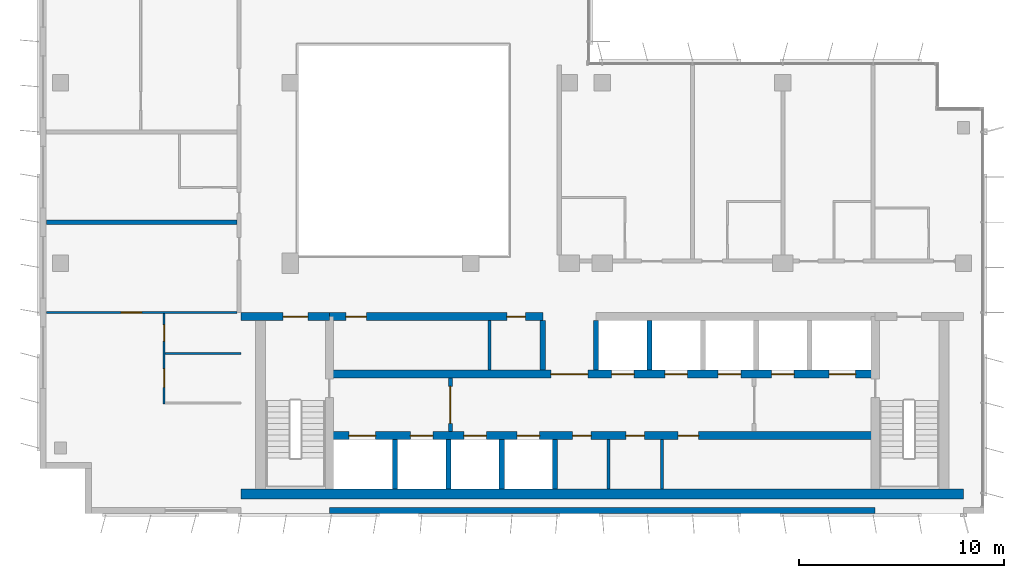
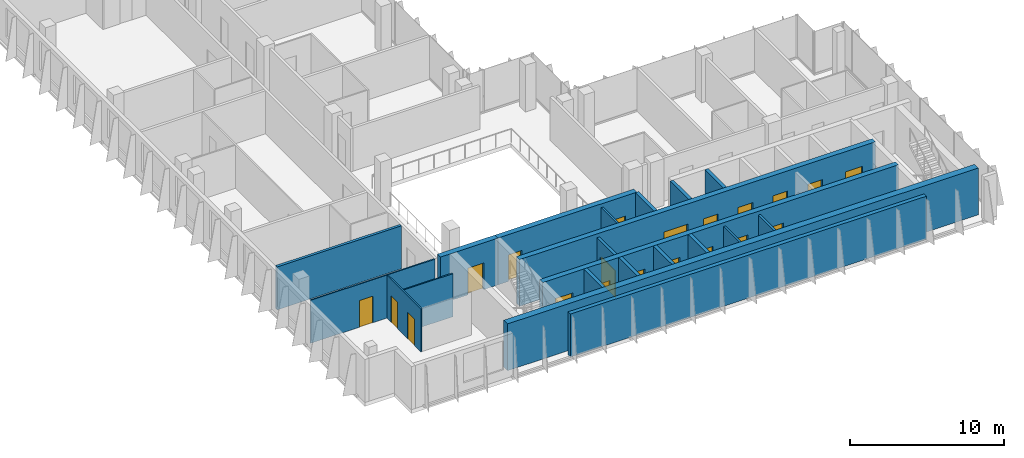
# One storey, part 9 of 15: 21 walls, 20 doors, 20 openings.
"""IFC4 building model written with IfcOpenShell, lengths in metres."""

from ifc_helpers import new_model, si_unit, direction, frame, frame_2d, origin, place, context, subcontext, project, spatial, rectangle, extrude, material, layer, layer_set, type_object, element, fill, save


model = new_model("IFC4")

# Units and contexts
model_context = context("Model", 3, precision=1e-05, world=origin(), true_north=direction((0.0, 1.0)))
body_context = subcontext(model_context, "Body", "Model", "MODEL_VIEW")
ifc_project = project(units=[si_unit("LENGTHUNIT", "METRE"), si_unit("AREAUNIT", "SQUARE_METRE"), si_unit("VOLUMEUNIT", "CUBIC_METRE"), si_unit("PLANEANGLEUNIT", "RADIAN"), si_unit("MASSUNIT", "GRAM", prefix="KILO")], contexts=[model_context])

# Site, building, storey
site_placement = place(None, origin())
site = spatial("IfcSite", under=ifc_project, at=site_placement, CompositionType="ELEMENT")
building_placement = place(site_placement, origin())
building = spatial("IfcBuilding", under=site, at=building_placement, Name="Kemantara Hotel Tower", CompositionType="ELEMENT")
storey_placement = place(building_placement, frame((0.0, 0.0, 279.60009765625)))
storey = spatial("IfcBuildingStorey", under=building, at=storey_placement, Name="L70", CompositionType="ELEMENT", Elevation=279.60009765625)

# Walls
ifc_material_1 = material(Name="Bronze anodised aluminium cladding on insulated steel stud wall", Category="steel")
ifc_layer_1 = layer(ifc_material_1, 0.300048828125)
ifc_layer_set_1 = layer_set([ifc_layer_1], Name="Bronze anodised aluminium cladding on insulated steel stud wall")
wall_type_1 = type_object("IfcWallType", Name="BRONZE METAL-CLAD EXTERNAL WALL 300", PredefinedType="STANDARD", material=ifc_layer_set_1)
wall_1_placement = place(storey_placement, frame((14.10009765625, 0.14990234375, 0.0), z_axis=(0.0, 0.0, 1.0), x_axis=(1.0, 0.0, 0.0)))
element("IfcWall", 1, at=wall_1_placement, inside=storey, type_object=wall_type_1, Name="EXTERNAL WALL L70 T4-R08-2", PredefinedType="STANDARD", context=body_context, shape_type="SweptSolid", body=[
    extrude(rectangle(XDim=26.599853515625, YDim=0.300048828125, at=frame_2d((13.2998046875, 0.0))), origin(), (0.0, 0.0, 1.0), 3.39990234375),
])
ifc_material_2 = material(Name="Concrete fc 50 MPa", Category="concrete")
ifc_layer_2 = layer(ifc_material_2, 0.25)
ifc_layer_set_2 = layer_set([ifc_layer_2], Name="Concrete fc 50 MPa")
wall_type_2 = type_object("IfcWallType", Name="CORE WALL 250 FC50", PredefinedType="SHEAR", material=ifc_layer_set_2)
for number, where, z_axis, x_axis, name in (
    (2, (17.300048828125, 1.199951171875, 0.0), (0.0, 0.0, 1.0), (0.0, 1.0, 0.0), "CORE WALL CW-DS17.3"),
    (3, (19.89990234375, 1.199951171875, 0.0), (0.0, 0.0, 1.0), (0.0, 1.0, 0.0), "CORE WALL CW-DS19.9"),
    (4, (22.5, 1.199951171875, 0.0), (0.0, 0.0, 1.0), (0.0, 1.0, 0.0), "CORE WALL CW-DS22.5"),
    (5, (25.10009765625, 1.199951171875, 0.0), (0.0, 0.0, 1.0), (0.0, 1.0, 0.0), "CORE WALL CW-DS25.1"),
):
    element("IfcWall", number, at=place(storey_placement, frame(where, z_axis=z_axis, x_axis=x_axis)), inside=storey, type_object=wall_type_2, Name=name, PredefinedType="SHEAR", context=body_context, shape_type="SweptSolid", body=[
        extrude(rectangle(XDim=2.400146484375, YDim=0.25, at=frame_2d((1.2001953125, 0.0))), origin(), (0.0, 0.0, 1.0), 3.699951171875),
    ])
for number, where, z_axis, x_axis, name in (
    (6, (24.5, 7.0, 0.0), (0.0, 0.0, 1.0), (0.0, 1.0, 0.0), "CORE WALL CW-DN24.5"),
    (7, (27.10009765625, 7.0, 0.0), (0.0, 0.0, 1.0), (0.0, 1.0, 0.0), "CORE WALL CW-DN27.1"),
    (8, (29.699951171875, 7.0, 0.0), (0.0, 0.0, 1.0), (0.0, 1.0, 0.0), "CORE WALL CW-DN29.7"),
):
    element("IfcWall", number, at=place(storey_placement, frame(where, z_axis=z_axis, x_axis=x_axis)), inside=storey, type_object=wall_type_2, Name=name, PredefinedType="SHEAR", context=body_context, shape_type="SweptSolid", body=[
        extrude(rectangle(XDim=2.39990234375, YDim=0.25, at=frame_2d((1.199951171875, 0.0))), origin(), (0.0, 0.0, 1.0), 3.699951171875),
    ])

# Wall, opening, door
ifc_layer_3 = layer(ifc_material_2, 0.39990234375)
ifc_layer_set_3 = layer_set([ifc_layer_3], Name="Concrete fc 50 MPa")
wall_type_3 = type_object("IfcWallType", Name="CORE WALL 400 FC50", PredefinedType="SHEAR", material=ifc_layer_set_3)
wall_2_placement = place(storey_placement, frame((9.800048828125, 9.60009765625, 0.0), z_axis=(0.0, 0.0, 1.0), x_axis=(1.0, 0.0, 0.0)))
wall_2 = element("IfcWall", 9, at=wall_2_placement, inside=storey, type_object=wall_type_3, Name="CORE WALL CW-N1", PredefinedType="SHEAR", context=body_context, shape_type="SweptSolid", body=[
    extrude(rectangle(XDim=4.300048828125, YDim=0.39990234375, at=frame_2d((2.14990234375, 0.0))), origin(), (0.0, 0.0, 1.0), 3.699951171875),
])
opening_1_placement = place(wall_2_placement, frame((2.050048828125, 0.0, 0.0)))
opening_1 = element("IfcOpeningElement", 10, at=opening_1_placement, cuts=wall_2, Name="Opening C40-ST1-C", PredefinedType="OPENING", context=body_context, shape_type="SweptSolid", body=[
    extrude(rectangle(XDim=1.199951171875, YDim=2.10009765625, at=frame_2d((0.60009765625, 1.050048828125))), frame((0.0, 0.2099609375, 0.0), z_axis=(0.0, -1.0, 0.0), x_axis=(1.0, 0.0, 0.0)), (0.0, 0.0, 1.0), 0.419921875),
])
ifc_material_3 = material(Name="Steel fire door", Category="steel")
door_type_1 = type_object("IfcDoorType", Name="Fire door FD90 1200 x 2100", OperationType="NOTDEFINED", PredefinedType="DOOR", material=ifc_material_3)
door_1_placement = place(opening_1_placement, frame((1.199951171875, 0.0, 0.0), z_axis=(0.0, 0.0, 1.0), x_axis=(-1.0, 0.0, 0.0)))
door_1 = element("IfcDoor", 11, at=door_1_placement, inside=storey, type_object=door_type_1, Name="Stair ST1 door to corridor", OperationType="SINGLE_SWING_LEFT", OverallHeight=2.10009765625, OverallWidth=1.199951171875, PredefinedType="DOOR", context=body_context, shape_type="SweptSolid", body=[
    extrude(rectangle(XDim=1.199951171875, YDim=2.10009765625, at=frame_2d((0.60009765625, 1.050048828125))), frame((0.0, 0.02490234375, 0.0), z_axis=(0.0, -1.0, 0.0), x_axis=(1.0, 0.0, 0.0)), (0.0, 0.0, 1.0), 0.050048828125),
])
fill(opening_1, door_1)

# Wall, openings, doors
wall_3_placement = place(storey_placement, frame((14.10009765625, 9.60009765625, 0.0), z_axis=(0.0, 0.0, 1.0), x_axis=(1.0, 0.0, 0.0)))
wall_3 = element("IfcWall", 12, at=wall_3_placement, inside=storey, type_object=wall_type_3, Name="CORE WALL CW-NN1", PredefinedType="SHEAR", context=body_context, shape_type="SweptSolid", body=[
    extrude(rectangle(XDim=10.39990234375, YDim=0.39990234375, at=frame_2d((5.199951171875, 0.0))), origin(), (0.0, 0.0, 1.0), 3.699951171875),
])
opening_2_placement = place(wall_3_placement, frame((0.800048828125, 0.0, 0.0)))
opening_2 = element("IfcOpeningElement", 13, at=opening_2_placement, cuts=wall_3, Name="Opening C40-R-NW1", PredefinedType="OPENING", context=body_context, shape_type="SweptSolid", body=[
    extrude(rectangle(XDim=1.0, YDim=2.10009765625, at=frame_2d((0.5, 1.050048828125))), frame((0.0, 0.2099609375, 0.0), z_axis=(0.0, -1.0, 0.0), x_axis=(1.0, 0.0, 0.0)), (0.0, 0.0, 1.0), 0.419921875),
])
opening_3_placement = place(wall_3_placement, frame((8.64990234375, 0.0, 0.0)))
opening_3 = element("IfcOpeningElement", 14, at=opening_3_placement, cuts=wall_3, Name="Opening C40-R-NW2", PredefinedType="OPENING", context=body_context, shape_type="SweptSolid", body=[
    extrude(rectangle(XDim=0.89990234375, YDim=2.10009765625, at=frame_2d((0.449951171875, 1.050048828125))), frame((0.0, 0.2099609375, 0.0), z_axis=(0.0, -1.0, 0.0), x_axis=(1.0, 0.0, 0.0)), (0.0, 0.0, 1.0), 0.419921875),
])
door_type_2 = type_object("IfcDoorType", Name="Fire door FD30S 1000 x 2100", OperationType="NOTDEFINED", PredefinedType="DOOR", material=ifc_material_3)
door_2_placement = place(opening_2_placement, frame((1.0, 0.0, 0.0), z_axis=(0.0, 0.0, 1.0), x_axis=(-1.0, 0.0, 0.0)))
door_2 = element("IfcDoor", 15, at=door_2_placement, inside=storey, type_object=door_type_2, Name="Linen Store door", OperationType="SINGLE_SWING_RIGHT", OverallHeight=2.10009765625, OverallWidth=1.0, PredefinedType="DOOR", context=body_context, shape_type="SweptSolid", body=[
    extrude(rectangle(XDim=1.0, YDim=2.10009765625, at=frame_2d((0.5, 1.050048828125))), frame((0.0, 0.02490234375, 0.0), z_axis=(0.0, -1.0, 0.0), x_axis=(1.0, 0.0, 0.0)), (0.0, 0.0, 1.0), 0.050048828125),
])
fill(opening_2, door_2)
door_type_3 = type_object("IfcDoorType", Name="Fire door FD60 900 x 2100", OperationType="NOTDEFINED", PredefinedType="DOOR", material=ifc_material_3)
door_3_placement = place(opening_3_placement, frame((0.89990234375, 0.0, 0.0), z_axis=(0.0, 0.0, 1.0), x_axis=(-1.0, 0.0, 0.0)))
door_3 = element("IfcDoor", 16, at=door_3_placement, inside=storey, type_object=door_type_3, Name="It Equipment Room door", OperationType="SINGLE_SWING_LEFT", OverallHeight=2.10009765625, OverallWidth=0.89990234375, PredefinedType="DOOR", context=body_context, shape_type="SweptSolid", body=[
    extrude(rectangle(XDim=0.89990234375, YDim=2.10009765625, at=frame_2d((0.449951171875, 1.050048828125))), frame((0.0, 0.02490234375, 0.0), z_axis=(0.0, -1.0, 0.0), x_axis=(1.0, 0.0, 0.0)), (0.0, 0.0, 1.0), 0.050048828125),
])
fill(opening_3, door_3)

wall_4_placement = place(storey_placement, frame((14.10009765625, 3.800048828125, 0.0), z_axis=(0.0, 0.0, 1.0), x_axis=(1.0, 0.0, 0.0)))
wall_4 = element("IfcWall", 17, at=wall_4_placement, inside=storey, type_object=wall_type_3, Name="CORE WALL CW-L1", PredefinedType="SHEAR", context=body_context, shape_type="SweptSolid", body=[
    extrude(rectangle(XDim=26.599853515625, YDim=0.39990234375, at=frame_2d((13.2998046875, 0.0))), origin(), (0.0, 0.0, 1.0), 3.699951171875),
])
opening_4_placement = place(wall_4_placement, frame((0.949951171875, 0.0, 0.0)))
opening_4 = element("IfcOpeningElement", 18, at=opening_4_placement, cuts=wall_4, Name="Opening C40-LD-FF1", PredefinedType="OPENING", context=body_context, shape_type="SweptSolid", body=[
    extrude(rectangle(XDim=1.300048828125, YDim=2.10009765625, at=frame_2d((0.64990234375, 1.050048828125))), frame((0.0, 0.2099609375, 0.0), z_axis=(0.0, -1.0, 0.0), x_axis=(1.0, 0.0, 0.0)), (0.0, 0.0, 1.0), 0.419921875),
])
opening_5_placement = place(wall_4_placement, frame((3.949951171875, 0.0, 0.0)))
opening_5 = element("IfcOpeningElement", 19, at=opening_5_placement, cuts=wall_4, Name="Opening C40-LD-SV1", PredefinedType="OPENING", context=body_context, shape_type="SweptSolid", body=[
    extrude(rectangle(XDim=1.10009765625, YDim=2.10009765625, at=frame_2d((0.550048828125, 1.050048828125))), frame((0.0, 0.2099609375, 0.0), z_axis=(0.0, -1.0, 0.0), x_axis=(1.0, 0.0, 0.0)), (0.0, 0.0, 1.0), 0.419921875),
])
opening_6_placement = place(wall_4_placement, frame((6.550048828125, 0.0, 0.0)))
opening_6 = element("IfcOpeningElement", 20, at=opening_6_placement, cuts=wall_4, Name="Opening C40-LD-SV2", PredefinedType="OPENING", context=body_context, shape_type="SweptSolid", body=[
    extrude(rectangle(XDim=1.10009765625, YDim=2.10009765625, at=frame_2d((0.550048828125, 1.050048828125))), frame((0.0, 0.2099609375, 0.0), z_axis=(0.0, -1.0, 0.0), x_axis=(1.0, 0.0, 0.0)), (0.0, 0.0, 1.0), 0.419921875),
])
opening_7_placement = place(wall_4_placement, frame((9.14990234375, 0.0, 0.0)))
opening_7 = element("IfcOpeningElement", 21, at=opening_7_placement, cuts=wall_4, Name="Opening C40-LD-SV3", PredefinedType="OPENING", context=body_context, shape_type="SweptSolid", body=[
    extrude(rectangle(XDim=1.10009765625, YDim=2.10009765625, at=frame_2d((0.550048828125, 1.050048828125))), frame((0.0, 0.2099609375, 0.0), z_axis=(0.0, -1.0, 0.0), x_axis=(1.0, 0.0, 0.0)), (0.0, 0.0, 1.0), 0.419921875),
])
opening_8_placement = place(wall_4_placement, frame((11.85009765625, 0.0, 0.0)))
opening_8 = element("IfcOpeningElement", 22, at=opening_8_placement, cuts=wall_4, Name="Opening C40-R-SM1", PredefinedType="OPENING", context=body_context, shape_type="SweptSolid", body=[
    extrude(rectangle(XDim=0.89990234375, YDim=2.10009765625, at=frame_2d((0.449951171875, 1.050048828125))), frame((0.0, 0.2099609375, 0.0), z_axis=(0.0, -1.0, 0.0), x_axis=(1.0, 0.0, 0.0)), (0.0, 0.0, 1.0), 0.419921875),
])
opening_9_placement = place(wall_4_placement, frame((14.449951171875, 0.0, 0.0)))
opening_9 = element("IfcOpeningElement", 23, at=opening_9_placement, cuts=wall_4, Name="Opening C40-R-SM2", PredefinedType="OPENING", context=body_context, shape_type="SweptSolid", body=[
    extrude(rectangle(XDim=0.89990234375, YDim=2.10009765625, at=frame_2d((0.449951171875, 1.050048828125))), frame((0.0, 0.2099609375, 0.0), z_axis=(0.0, -1.0, 0.0), x_axis=(1.0, 0.0, 0.0)), (0.0, 0.0, 1.0), 0.419921875),
])
opening_10_placement = place(wall_4_placement, frame((17.0, 0.0, 0.0)))
opening_10 = element("IfcOpeningElement", 24, at=opening_10_placement, cuts=wall_4, Name="Opening C40-R-SM3", PredefinedType="OPENING", context=body_context, shape_type="SweptSolid", body=[
    extrude(rectangle(XDim=1.0, YDim=2.10009765625, at=frame_2d((0.5, 1.050048828125))), frame((0.0, 0.2099609375, 0.0), z_axis=(0.0, -1.0, 0.0), x_axis=(1.0, 0.0, 0.0)), (0.0, 0.0, 1.0), 0.419921875),
])
door_4_placement = place(opening_10_placement, frame((1.0, 0.0, 0.0), z_axis=(0.0, 0.0, 1.0), x_axis=(-1.0, 0.0, 0.0)))
door_4 = element("IfcDoor", 25, at=door_4_placement, inside=storey, type_object=door_type_2, Name="Guest Pantry door", OperationType="SINGLE_SWING_LEFT", OverallHeight=2.10009765625, OverallWidth=1.0, PredefinedType="DOOR", context=body_context, shape_type="SweptSolid", body=[
    extrude(rectangle(XDim=1.0, YDim=2.10009765625, at=frame_2d((0.5, 1.050048828125))), frame((0.0, 0.02490234375, 0.0), z_axis=(0.0, -1.0, 0.0), x_axis=(1.0, 0.0, 0.0)), (0.0, 0.0, 1.0), 0.050048828125),
])
fill(opening_10, door_4)
door_type_4 = type_object("IfcDoorType", Name="Fire door FD30S 900 x 2100", OperationType="NOTDEFINED", PredefinedType="DOOR", material=ifc_material_3)
door_5_placement = place(opening_9_placement, frame((0.89990234375, 0.0, 0.0), z_axis=(0.0, 0.0, 1.0), x_axis=(-1.0, 0.0, 0.0)))
door_5 = element("IfcDoor", 26, at=door_5_placement, inside=storey, type_object=door_type_4, Name="Staff Wc door", OperationType="SINGLE_SWING_LEFT", OverallHeight=2.10009765625, OverallWidth=0.89990234375, PredefinedType="DOOR", context=body_context, shape_type="SweptSolid", body=[
    extrude(rectangle(XDim=0.89990234375, YDim=2.10009765625, at=frame_2d((0.449951171875, 1.050048828125))), frame((0.0, 0.02490234375, 0.0), z_axis=(0.0, -1.0, 0.0), x_axis=(1.0, 0.0, 0.0)), (0.0, 0.0, 1.0), 0.050048828125),
])
fill(opening_9, door_5)
door_6_placement = place(opening_8_placement, frame((0.89990234375, 0.0, 0.0), z_axis=(0.0, 0.0, 1.0), x_axis=(-1.0, 0.0, 0.0)))
door_6 = element("IfcDoor", 27, at=door_6_placement, inside=storey, type_object=door_type_3, Name="Electrical Riser Room door", OperationType="SINGLE_SWING_RIGHT", OverallHeight=2.10009765625, OverallWidth=0.89990234375, PredefinedType="DOOR", context=body_context, shape_type="SweptSolid", body=[
    extrude(rectangle(XDim=0.89990234375, YDim=2.10009765625, at=frame_2d((0.449951171875, 1.050048828125))), frame((0.0, 0.02490234375, 0.0), z_axis=(0.0, -1.0, 0.0), x_axis=(1.0, 0.0, 0.0)), (0.0, 0.0, 1.0), 0.050048828125),
])
fill(opening_8, door_6)
ifc_material_4 = material(Name="Stainless steel lift door", Category="steel")
door_type_5 = type_object("IfcDoorType", Name="Lift landing door 1100 x 2100 FD60", OperationType="DOUBLE_DOOR_SLIDING", PredefinedType="DOOR", material=ifc_material_4)
door_7_placement = place(opening_5_placement, origin())
door_7 = element("IfcDoor", 28, at=door_7_placement, inside=storey, type_object=door_type_5, Name="Lift SV1 landing door", OperationType="DOUBLE_DOOR_SLIDING", OverallHeight=2.10009765625, OverallWidth=1.10009765625, PredefinedType="DOOR", context=body_context, shape_type="SweptSolid", body=[
    extrude(rectangle(XDim=1.10009765625, YDim=2.10009765625, at=frame_2d((0.550048828125, 1.050048828125))), frame((0.0, 0.02490234375, 0.0), z_axis=(0.0, -1.0, 0.0), x_axis=(1.0, 0.0, 0.0)), (0.0, 0.0, 1.0), 0.050048828125),
])
fill(opening_5, door_7)
door_8_placement = place(opening_6_placement, origin())
door_8 = element("IfcDoor", 29, at=door_8_placement, inside=storey, type_object=door_type_5, Name="Lift SV2 landing door", OperationType="DOUBLE_DOOR_SLIDING", OverallHeight=2.10009765625, OverallWidth=1.10009765625, PredefinedType="DOOR", context=body_context, shape_type="SweptSolid", body=[
    extrude(rectangle(XDim=1.10009765625, YDim=2.10009765625, at=frame_2d((0.550048828125, 1.050048828125))), frame((0.0, 0.02490234375, 0.0), z_axis=(0.0, -1.0, 0.0), x_axis=(1.0, 0.0, 0.0)), (0.0, 0.0, 1.0), 0.050048828125),
])
fill(opening_6, door_8)
door_9_placement = place(opening_7_placement, origin())
door_9 = element("IfcDoor", 30, at=door_9_placement, inside=storey, type_object=door_type_5, Name="Lift SV3 landing door", OperationType="DOUBLE_DOOR_SLIDING", OverallHeight=2.10009765625, OverallWidth=1.10009765625, PredefinedType="DOOR", context=body_context, shape_type="SweptSolid", body=[
    extrude(rectangle(XDim=1.10009765625, YDim=2.10009765625, at=frame_2d((0.550048828125, 1.050048828125))), frame((0.0, 0.02490234375, 0.0), z_axis=(0.0, -1.0, 0.0), x_axis=(1.0, 0.0, 0.0)), (0.0, 0.0, 1.0), 0.050048828125),
])
fill(opening_7, door_9)
door_type_6 = type_object("IfcDoorType", Name="Lift landing door 1300 x 2100 FD90", OperationType="DOUBLE_DOOR_SLIDING", PredefinedType="DOOR", material=ifc_material_4)
door_10_placement = place(opening_4_placement, origin())
door_10 = element("IfcDoor", 31, at=door_10_placement, inside=storey, type_object=door_type_6, Name="Lift FF1 landing door", OperationType="DOUBLE_DOOR_SLIDING", OverallHeight=2.10009765625, OverallWidth=1.300048828125, PredefinedType="DOOR", context=body_context, shape_type="SweptSolid", body=[
    extrude(rectangle(XDim=1.300048828125, YDim=2.10009765625, at=frame_2d((0.64990234375, 1.050048828125))), frame((0.0, 0.02490234375, 0.0), z_axis=(0.0, -1.0, 0.0), x_axis=(1.0, 0.0, 0.0)), (0.0, 0.0, 1.0), 0.050048828125),
])
fill(opening_4, door_10)

wall_5_placement = place(storey_placement, frame((14.10009765625, 6.800048828125, 0.0), z_axis=(0.0, 0.0, 1.0), x_axis=(1.0, 0.0, 0.0)))
wall_5 = element("IfcWall", 32, at=wall_5_placement, inside=storey, type_object=wall_type_3, Name="CORE WALL CW-L2", PredefinedType="SHEAR", context=body_context, shape_type="SweptSolid", body=[
    extrude(rectangle(XDim=26.599853515625, YDim=0.39990234375, at=frame_2d((13.2998046875, 0.0))), origin(), (0.0, 0.0, 1.0), 3.699951171875),
])
opening_11_placement = place(wall_5_placement, frame((10.800048828125, 0.0, 0.0)))
opening_11 = element("IfcOpeningElement", 33, at=opening_11_placement, cuts=wall_5, Name="Opening C40-VL", PredefinedType="OPENING", context=body_context, shape_type="SweptSolid", body=[
    extrude(rectangle(XDim=1.800048828125, YDim=2.10009765625, at=frame_2d((0.89990234375, 1.050048828125))), frame((0.0, 0.2099609375, 0.0), z_axis=(0.0, -1.0, 0.0), x_axis=(1.0, 0.0, 0.0)), (0.0, 0.0, 1.0), 0.419921875),
])
opening_12_placement = place(wall_5_placement, frame((13.75, 0.0, 0.0)))
opening_12 = element("IfcOpeningElement", 34, at=opening_12_placement, cuts=wall_5, Name="Opening C40-LD-HR1", PredefinedType="OPENING", context=body_context, shape_type="SweptSolid", body=[
    extrude(rectangle(XDim=1.10009765625, YDim=2.10009765625, at=frame_2d((0.550048828125, 1.050048828125))), frame((0.0, 0.2099609375, 0.0), z_axis=(0.0, -1.0, 0.0), x_axis=(1.0, 0.0, 0.0)), (0.0, 0.0, 1.0), 0.419921875),
])
opening_13_placement = place(wall_5_placement, frame((16.35009765625, 0.0, 0.0)))
opening_13 = element("IfcOpeningElement", 35, at=opening_13_placement, cuts=wall_5, Name="Opening C40-LD-HR2", PredefinedType="OPENING", context=body_context, shape_type="SweptSolid", body=[
    extrude(rectangle(XDim=1.10009765625, YDim=2.10009765625, at=frame_2d((0.550048828125, 1.050048828125))), frame((0.0, 0.2099609375, 0.0), z_axis=(0.0, -1.0, 0.0), x_axis=(1.0, 0.0, 0.0)), (0.0, 0.0, 1.0), 0.419921875),
])
opening_14_placement = place(wall_5_placement, frame((18.949951171875, 0.0, 0.0)))
opening_14 = element("IfcOpeningElement", 36, at=opening_14_placement, cuts=wall_5, Name="Opening C40-LD-HR3", PredefinedType="OPENING", context=body_context, shape_type="SweptSolid", body=[
    extrude(rectangle(XDim=1.10009765625, YDim=2.10009765625, at=frame_2d((0.550048828125, 1.050048828125))), frame((0.0, 0.2099609375, 0.0), z_axis=(0.0, -1.0, 0.0), x_axis=(1.0, 0.0, 0.0)), (0.0, 0.0, 1.0), 0.419921875),
])
opening_15_placement = place(wall_5_placement, frame((21.550048828125, 0.0, 0.0)))
opening_15 = element("IfcOpeningElement", 37, at=opening_15_placement, cuts=wall_5, Name="Opening C40-LD-HR4", PredefinedType="OPENING", context=body_context, shape_type="SweptSolid", body=[
    extrude(rectangle(XDim=1.10009765625, YDim=2.10009765625, at=frame_2d((0.550048828125, 1.050048828125))), frame((0.0, 0.2099609375, 0.0), z_axis=(0.0, -1.0, 0.0), x_axis=(1.0, 0.0, 0.0)), (0.0, 0.0, 1.0), 0.419921875),
])
opening_16_placement = place(wall_5_placement, frame((24.35009765625, 0.0, 0.0)))
opening_16 = element("IfcOpeningElement", 38, at=opening_16_placement, cuts=wall_5, Name="Opening C40-LD-FF2", PredefinedType="OPENING", context=body_context, shape_type="SweptSolid", body=[
    extrude(rectangle(XDim=1.300048828125, YDim=2.10009765625, at=frame_2d((0.64990234375, 1.050048828125))), frame((0.0, 0.2099609375, 0.0), z_axis=(0.0, -1.0, 0.0), x_axis=(1.0, 0.0, 0.0)), (0.0, 0.0, 1.0), 0.419921875),
])
door_type_7 = type_object("IfcDoorType", Name="Fire door pair FD60 1800 x 2100", OperationType="DOUBLE_DOOR_SINGLE_SWING", PredefinedType="DOOR", material=ifc_material_3)
door_11_placement = place(opening_11_placement, frame((1.800048828125, 0.0, 0.0), z_axis=(0.0, 0.0, 1.0), x_axis=(-1.0, 0.0, 0.0)))
door_11 = element("IfcDoor", 39, at=door_11_placement, inside=storey, type_object=door_type_7, Name="Lift lobby entry door", OperationType="DOUBLE_DOOR_SINGLE_SWING", OverallHeight=2.10009765625, OverallWidth=1.800048828125, PredefinedType="DOOR", context=body_context, shape_type="SweptSolid", body=[
    extrude(rectangle(XDim=1.800048828125, YDim=2.10009765625, at=frame_2d((0.89990234375, 1.050048828125))), frame((0.0, 0.02490234375, 0.0), z_axis=(0.0, -1.0, 0.0), x_axis=(1.0, 0.0, 0.0)), (0.0, 0.0, 1.0), 0.050048828125),
])
fill(opening_11, door_11)
door_12_placement = place(opening_12_placement, origin())
door_12 = element("IfcDoor", 40, at=door_12_placement, inside=storey, type_object=door_type_5, Name="Lift HR1 landing door", OperationType="DOUBLE_DOOR_SLIDING", OverallHeight=2.10009765625, OverallWidth=1.10009765625, PredefinedType="DOOR", context=body_context, shape_type="SweptSolid", body=[
    extrude(rectangle(XDim=1.10009765625, YDim=2.10009765625, at=frame_2d((0.550048828125, 1.050048828125))), frame((0.0, 0.02490234375, 0.0), z_axis=(0.0, -1.0, 0.0), x_axis=(1.0, 0.0, 0.0)), (0.0, 0.0, 1.0), 0.050048828125),
])
fill(opening_12, door_12)
door_13_placement = place(opening_13_placement, origin())
door_13 = element("IfcDoor", 41, at=door_13_placement, inside=storey, type_object=door_type_5, Name="Lift HR2 landing door", OperationType="DOUBLE_DOOR_SLIDING", OverallHeight=2.10009765625, OverallWidth=1.10009765625, PredefinedType="DOOR", context=body_context, shape_type="SweptSolid", body=[
    extrude(rectangle(XDim=1.10009765625, YDim=2.10009765625, at=frame_2d((0.550048828125, 1.050048828125))), frame((0.0, 0.02490234375, 0.0), z_axis=(0.0, -1.0, 0.0), x_axis=(1.0, 0.0, 0.0)), (0.0, 0.0, 1.0), 0.050048828125),
])
fill(opening_13, door_13)
door_14_placement = place(opening_14_placement, origin())
door_14 = element("IfcDoor", 42, at=door_14_placement, inside=storey, type_object=door_type_5, Name="Lift HR3 landing door", OperationType="DOUBLE_DOOR_SLIDING", OverallHeight=2.10009765625, OverallWidth=1.10009765625, PredefinedType="DOOR", context=body_context, shape_type="SweptSolid", body=[
    extrude(rectangle(XDim=1.10009765625, YDim=2.10009765625, at=frame_2d((0.550048828125, 1.050048828125))), frame((0.0, 0.02490234375, 0.0), z_axis=(0.0, -1.0, 0.0), x_axis=(1.0, 0.0, 0.0)), (0.0, 0.0, 1.0), 0.050048828125),
])
fill(opening_14, door_14)
door_15_placement = place(opening_15_placement, origin())
door_15 = element("IfcDoor", 43, at=door_15_placement, inside=storey, type_object=door_type_5, Name="Lift HR4 landing door", OperationType="DOUBLE_DOOR_SLIDING", OverallHeight=2.10009765625, OverallWidth=1.10009765625, PredefinedType="DOOR", context=body_context, shape_type="SweptSolid", body=[
    extrude(rectangle(XDim=1.10009765625, YDim=2.10009765625, at=frame_2d((0.550048828125, 1.050048828125))), frame((0.0, 0.02490234375, 0.0), z_axis=(0.0, -1.0, 0.0), x_axis=(1.0, 0.0, 0.0)), (0.0, 0.0, 1.0), 0.050048828125),
])
fill(opening_15, door_15)
door_16_placement = place(opening_16_placement, origin())
door_16 = element("IfcDoor", 44, at=door_16_placement, inside=storey, type_object=door_type_6, Name="Lift FF2 landing door", OperationType="DOUBLE_DOOR_SLIDING", OverallHeight=2.10009765625, OverallWidth=1.300048828125, PredefinedType="DOOR", context=body_context, shape_type="SweptSolid", body=[
    extrude(rectangle(XDim=1.300048828125, YDim=2.10009765625, at=frame_2d((0.64990234375, 1.050048828125))), frame((0.0, 0.02490234375, 0.0), z_axis=(0.0, -1.0, 0.0), x_axis=(1.0, 0.0, 0.0)), (0.0, 0.0, 1.0), 0.050048828125),
])
fill(opening_16, door_16)

# Walls
ifc_layer_4 = layer(ifc_material_2, 0.5)
ifc_layer_set_4 = layer_set([ifc_layer_4], Name="Concrete fc 50 MPa")
wall_type_4 = type_object("IfcWallType", Name="CORE WALL 500 FC50", PredefinedType="SHEAR", material=ifc_layer_set_4)
wall_6_placement = place(storey_placement, frame((9.800048828125, 0.949951171875, 0.0), z_axis=(0.0, 0.0, 1.0), x_axis=(1.0, 0.0, 0.0)))
element("IfcWall", 45, at=wall_6_placement, inside=storey, type_object=wall_type_4, Name="CORE WALL CW-S", PredefinedType="SHEAR", context=body_context, shape_type="SweptSolid", body=[
    extrude(rectangle(XDim=35.199951171875, YDim=0.5, at=frame_2d((17.60009765625, 0.0))), origin(), (0.0, 0.0, 1.0), 3.699951171875),
])
ifc_material_5 = material(Name="Gypsum board partition, steel studs and mineral wool, 200 mm", Category="steel")
ifc_layer_5 = layer(ifc_material_5, 0.199951171875)
ifc_layer_set_5 = layer_set([ifc_layer_5], Name="Gypsum board partition, steel studs and mineral wool, 200 mm")
wall_type_5 = type_object("IfcWallType", Name="GUEST ROOM PARTY WALL 200", PredefinedType="PARTITIONING", material=ifc_layer_set_5)
wall_7_placement = place(storey_placement, frame((0.31005859375, 14.199951171875, 0.0), z_axis=(0.0, 0.0, 1.0), x_axis=(1.0, 0.0, 0.0)))
element("IfcWall", 46, at=wall_7_placement, inside=storey, type_object=wall_type_5, Name="GUEST ROOM PARTY WALL 200 010", PredefinedType="PARTITIONING", context=body_context, shape_type="SweptSolid", body=[
    extrude(rectangle(XDim=9.2900390625, YDim=0.199951171875, at=frame_2d((4.64501953125, 0.0))), origin(), (0.0, 0.0, 1.0), 3.39990234375),
])
ifc_material_6 = material(Name="Gypsum board partition")
ifc_layer_6 = layer(ifc_material_6, 0.14990234375)
ifc_layer_set_6 = layer_set([ifc_layer_6], Name="Gypsum board partition")
wall_type_6 = type_object("IfcWallType", Name="Gypsum board partition 150 mm", PredefinedType="PARTITIONING", material=ifc_layer_set_6)
wall_8_placement = place(storey_placement, frame((21.89990234375, 7.0, 0.0), z_axis=(0.0, 0.0, 1.0), x_axis=(0.0, 1.0, 0.0)))
element("IfcWall", 47, at=wall_8_placement, inside=storey, type_object=wall_type_6, Name="Core room partition", PredefinedType="PARTITIONING", context=body_context, shape_type="SweptSolid", body=[
    extrude(rectangle(XDim=2.39990234375, YDim=0.14990234375, at=frame_2d((1.199951171875, 0.0))), origin(), (0.0, 0.0, 1.0), 3.39990234375),
])
for number, where, z_axis, x_axis, name in (
    (48, (27.699951171875, 1.199951171875, 0.0), (0.0, 0.0, 1.0), (0.0, 1.0, 0.0), "Core room partition"),
    (49, (30.300048828125, 1.199951171875, 0.0), (0.0, 0.0, 1.0), (0.0, 1.0, 0.0), "Core room partition"),
):
    element("IfcWall", number, at=place(storey_placement, frame(where, z_axis=z_axis, x_axis=x_axis)), inside=storey, type_object=wall_type_6, Name=name, PredefinedType="PARTITIONING", context=body_context, shape_type="SweptSolid", body=[
        extrude(rectangle(XDim=2.400146484375, YDim=0.14990234375, at=frame_2d((1.2001953125, 0.0))), origin(), (0.0, 0.0, 1.0), 3.39990234375),
    ])

# Wall, opening, door
ifc_material_7 = material(Name="Gypsum board shaft wall")
ifc_layer_7 = layer(ifc_material_7, 0.199951171875)
ifc_layer_set_7 = layer_set([ifc_layer_7], Name="Gypsum board shaft wall")
wall_type_7 = type_object("IfcWallType", Name="Gypsum board shaft wall 200 mm", PredefinedType="PARTITIONING", material=ifc_layer_set_7)
wall_9_placement = place(storey_placement, frame((20.0, 4.0, 0.0), z_axis=(0.0, 0.0, 1.0), x_axis=(0.0, 1.0, 0.0)))
wall_9 = element("IfcWall", 50, at=wall_9_placement, inside=storey, type_object=wall_type_7, Name="Firefighting lobby partition west", PredefinedType="PARTITIONING", context=body_context, shape_type="SweptSolid", body=[
    extrude(rectangle(XDim=2.60009765625, YDim=0.199951171875, at=frame_2d((1.300048828125, 0.0))), origin(), (0.0, 0.0, 1.0), 3.39990234375),
])
opening_17_placement = place(wall_9_placement, frame((0.39990234375, 0.0, 0.0)))
opening_17 = element("IfcOpeningElement", 51, at=opening_17_placement, cuts=wall_9, Name="Opening C40-FFW", PredefinedType="OPENING", context=body_context, shape_type="SweptSolid", body=[
    extrude(rectangle(XDim=1.800048828125, YDim=2.10009765625, at=frame_2d((0.89990234375, 1.050048828125))), frame((0.0, 0.10986328125, 0.0), z_axis=(0.0, -1.0, 0.0), x_axis=(1.0, 0.0, 0.0)), (0.0, 0.0, 1.0), 0.219970703125),
])
door_17_placement = place(opening_17_placement, origin())
door_17 = element("IfcDoor", 52, at=door_17_placement, inside=storey, type_object=door_type_7, Name="Firefighting lobby door west", OperationType="DOUBLE_DOOR_SINGLE_SWING", OverallHeight=2.10009765625, OverallWidth=1.800048828125, PredefinedType="DOOR", context=body_context, shape_type="SweptSolid", body=[
    extrude(rectangle(XDim=1.800048828125, YDim=2.10009765625, at=frame_2d((0.89990234375, 1.050048828125))), frame((0.0, 0.02490234375, 0.0), z_axis=(0.0, -1.0, 0.0), x_axis=(1.0, 0.0, 0.0)), (0.0, 0.0, 1.0), 0.050048828125),
])
fill(opening_17, door_17)

# Wall, openings, doors
ifc_material_8 = material(Name="Gypsum board partition on steel studs, 100 mm", Category="steel")
ifc_layer_8 = layer(ifc_material_8, 0.10009765625)
ifc_layer_set_8 = layer_set([ifc_layer_8], Name="Gypsum board partition on steel studs, 100 mm")
wall_type_8 = type_object("IfcWallType", Name="ROOM PARTITION 100", PredefinedType="PARTITIONING", material=ifc_layer_set_8)
wall_10_placement = place(storey_placement, frame((6.050048828125, 9.75, 0.0), z_axis=(0.0, 0.0, 1.0), x_axis=(0.0, -1.0, 0.0)))
wall_10 = element("IfcWall", 53, at=wall_10_placement, inside=storey, type_object=wall_type_8, Name="ROOM PARTITION 100 033", PredefinedType="PARTITIONING", context=body_context, shape_type="SweptSolid", body=[
    extrude(rectangle(XDim=4.39990234375, YDim=0.10009765625, at=frame_2d((2.199951171875, 0.0))), origin(), (0.0, 0.0, 1.0), 3.39990234375),
])
opening_18_placement = place(wall_10_placement, frame((2.699951171875, 0.0, 0.0)))
opening_18 = element("IfcOpeningElement", 54, at=opening_18_placement, cuts=wall_10, Name="Opening F34-011", PredefinedType="OPENING", context=body_context, shape_type="SweptSolid", body=[
    extrude(rectangle(XDim=0.89990234375, YDim=2.10009765625, at=frame_2d((0.449951171875, 1.050048828125))), frame((0.0, 0.06005859375, 0.0), z_axis=(0.0, -1.0, 0.0), x_axis=(1.0, 0.0, 0.0)), (0.0, 0.0, 1.0), 0.1201171875),
])
opening_19_placement = place(wall_10_placement, frame((0.550048828125, 0.0, 0.0)))
opening_19 = element("IfcOpeningElement", 55, at=opening_19_placement, cuts=wall_10, Name="Opening F34-012", PredefinedType="OPENING", context=body_context, shape_type="SweptSolid", body=[
    extrude(rectangle(XDim=0.800048828125, YDim=2.10009765625, at=frame_2d((0.39990234375, 1.050048828125))), frame((0.0, 0.06005859375, 0.0), z_axis=(0.0, -1.0, 0.0), x_axis=(1.0, 0.0, 0.0)), (0.0, 0.0, 1.0), 0.1201171875),
])
ifc_material_9 = material(Name="Hardwood veneer door leaf with steel frame", Category="steel")
door_type_8 = type_object("IfcDoorType", Name="BATHROOM DOOR 900 X 2100", OperationType="NOTDEFINED", PredefinedType="DOOR", material=ifc_material_9)
door_18_placement = place(opening_18_placement, origin())
door_18 = element("IfcDoor", 56, at=door_18_placement, inside=storey, type_object=door_type_8, Name="BATHROOM DOOR F34-011", OperationType="SINGLE_SWING_LEFT", OverallHeight=2.10009765625, OverallWidth=0.89990234375, PredefinedType="DOOR", context=body_context, shape_type="SweptSolid", body=[
    extrude(rectangle(XDim=0.89990234375, YDim=2.10009765625, at=frame_2d((0.449951171875, 1.050048828125))), frame((0.0, 0.02490234375, 0.0), z_axis=(0.0, -1.0, 0.0), x_axis=(1.0, 0.0, 0.0)), (0.0, 0.0, 1.0), 0.050048828125),
])
fill(opening_18, door_18)
door_type_9 = type_object("IfcDoorType", Name="WARDROBE DOOR 800 X 2100", OperationType="NOTDEFINED", PredefinedType="DOOR", material=ifc_material_9)
door_19_placement = place(opening_19_placement, origin())
door_19 = element("IfcDoor", 57, at=door_19_placement, inside=storey, type_object=door_type_9, Name="WARDROBE DOOR F34-012", OperationType="SINGLE_SWING_LEFT", OverallHeight=2.10009765625, OverallWidth=0.800048828125, PredefinedType="DOOR", context=body_context, shape_type="SweptSolid", body=[
    extrude(rectangle(XDim=0.800048828125, YDim=2.10009765625, at=frame_2d((0.39990234375, 1.050048828125))), frame((0.0, 0.02490234375, 0.0), z_axis=(0.0, -1.0, 0.0), x_axis=(1.0, 0.0, 0.0)), (0.0, 0.0, 1.0), 0.050048828125),
])
fill(opening_19, door_19)

# Wall, opening, door
wall_11_placement = place(storey_placement, frame((9.60009765625, 9.800048828125, 0.0), z_axis=(0.0, 0.0, 1.0), x_axis=(-1.0, 0.0, 0.0)))
wall_11 = element("IfcWall", 58, at=wall_11_placement, inside=storey, type_object=wall_type_8, Name="ROOM PARTITION 100 034", PredefinedType="PARTITIONING", context=body_context, shape_type="SweptSolid", body=[
    extrude(rectangle(XDim=9.2900390625, YDim=0.10009765625, at=frame_2d((4.64501953125, 0.0))), origin(), (0.0, 0.0, 1.0), 3.39990234375),
])
opening_20_placement = place(wall_11_placement, frame((4.64990234375, 0.0, 0.0)))
opening_20 = element("IfcOpeningElement", 59, at=opening_20_placement, cuts=wall_11, Name="Opening F34-010", PredefinedType="OPENING", context=body_context, shape_type="SweptSolid", body=[
    extrude(rectangle(XDim=1.0, YDim=2.10009765625, at=frame_2d((0.5, 1.050048828125))), frame((0.0, 0.06005859375, 0.0), z_axis=(0.0, -1.0, 0.0), x_axis=(1.0, 0.0, 0.0)), (0.0, 0.0, 1.0), 0.1201171875),
])
door_type_10 = type_object("IfcDoorType", Name="INTERNAL DOOR 1000 X 2100", OperationType="NOTDEFINED", PredefinedType="DOOR", material=ifc_material_9)
door_20_placement = place(opening_20_placement, origin())
door_20 = element("IfcDoor", 60, at=door_20_placement, inside=storey, type_object=door_type_10, Name="INTERNAL DOOR F34-010", OperationType="SINGLE_SWING_LEFT", OverallHeight=2.10009765625, OverallWidth=1.0, PredefinedType="DOOR", context=body_context, shape_type="SweptSolid", body=[
    extrude(rectangle(XDim=1.0, YDim=2.10009765625, at=frame_2d((0.5, 1.050048828125))), frame((0.0, 0.02490234375, 0.0), z_axis=(0.0, -1.0, 0.0), x_axis=(1.0, 0.0, 0.0)), (0.0, 0.0, 1.0), 0.050048828125),
])
fill(opening_20, door_20)

# Wall
wall_12_placement = place(storey_placement, frame((6.10009765625, 7.800048828125, 0.0), z_axis=(0.0, 0.0, 1.0), x_axis=(1.0, 0.0, 0.0)))
element("IfcWall", 61, at=wall_12_placement, inside=storey, type_object=wall_type_8, Name="ROOM PARTITION 100 036", PredefinedType="PARTITIONING", context=body_context, shape_type="SweptSolid", body=[
    extrude(rectangle(XDim=3.69970703125, YDim=0.10009765625, at=frame_2d((1.849853515625, 0.0))), origin(), (0.0, 0.0, 1.0), 3.39990234375),
])

save(model, "model.ifc")
